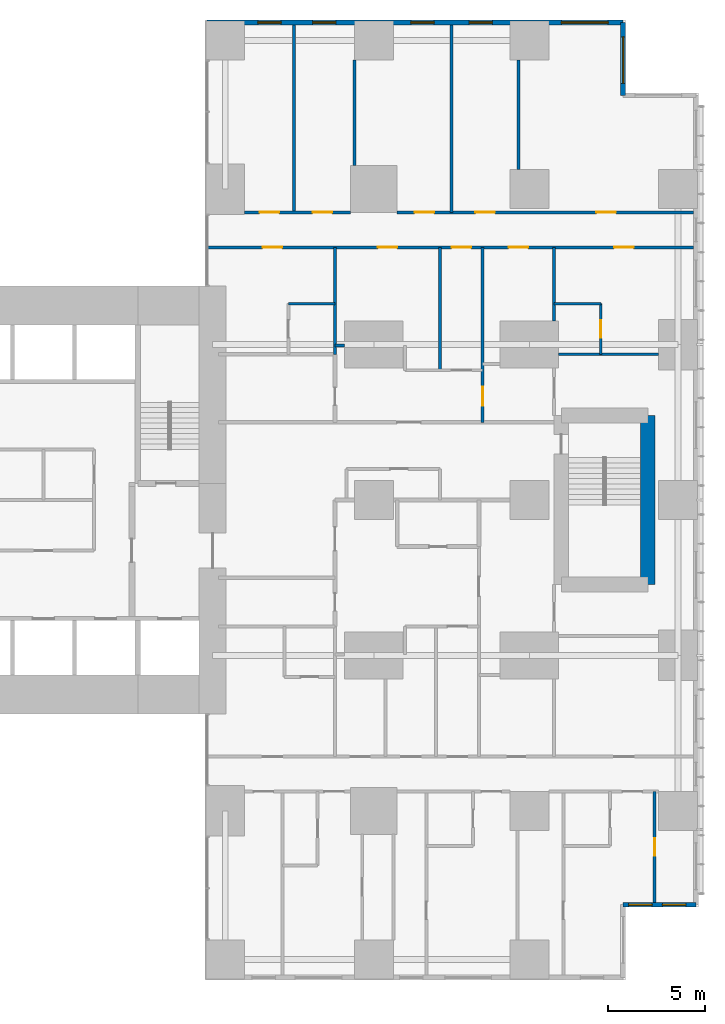
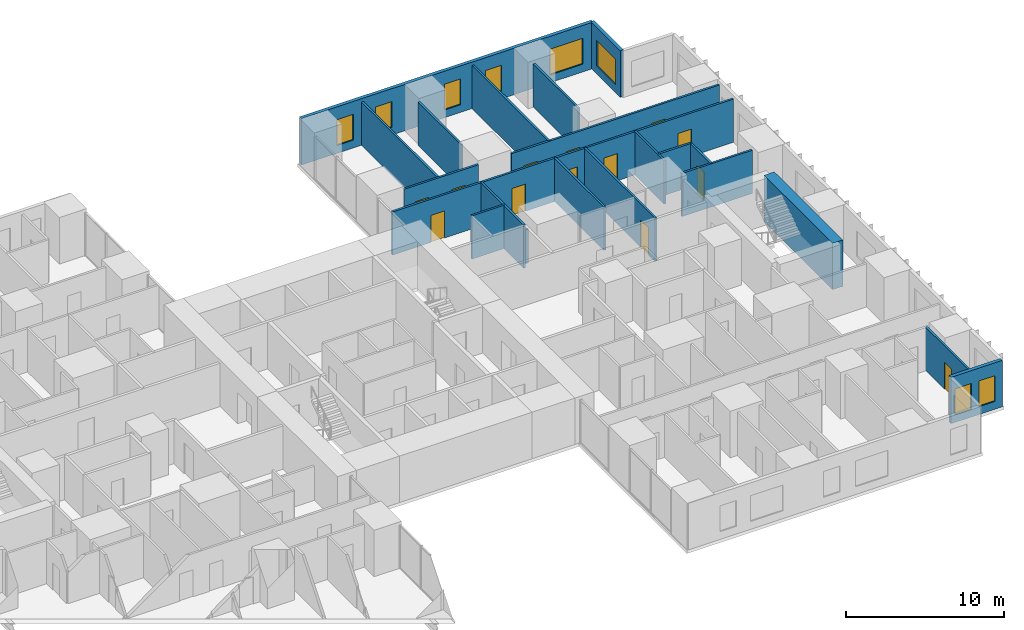
# One storey, part 18 of 20: 21 walls, 13 doors, 8 windows, 21 openings.
"""IFC4 building model written with IfcOpenShell, lengths in metres."""

from ifc_helpers import new_model, si_unit, direction, frame, frame_2d, origin, place, context, subcontext, project, spatial, rectangle, extrude, material, layer, layer_set, type_object, element, fill, save


model = new_model("IFC4")

# Units and contexts
model_context = context("Model", 3, precision=1e-05, world=origin(), true_north=direction((0.0, 1.0)))
body_context = subcontext(model_context, "Body", "Model", "MODEL_VIEW")
ifc_project = project(units=[si_unit("LENGTHUNIT", "METRE"), si_unit("AREAUNIT", "SQUARE_METRE"), si_unit("VOLUMEUNIT", "CUBIC_METRE"), si_unit("PLANEANGLEUNIT", "RADIAN"), si_unit("MASSUNIT", "GRAM", prefix="KILO")], contexts=[model_context])

# Site, building, storey
site_placement = place(None, origin())
site = spatial("IfcSite", under=ifc_project, at=site_placement, CompositionType="ELEMENT")
building_placement = place(site_placement, origin())
building = spatial("IfcBuilding", under=site, at=building_placement, Name="Cleftline Residences", CompositionType="ELEMENT")
storey_placement = place(building_placement, frame((0.0, 0.0, 47.60009765625)))
storey = spatial("IfcBuildingStorey", under=building, at=storey_placement, Name="L11", CompositionType="ELEMENT", Elevation=47.60009765625)

# Wall, openings, windows
ifc_material_1 = material(Name="Rendered reinforced concrete blockwork", Category="masonry")
ifc_layer_1 = layer(ifc_material_1, 0.25)
ifc_layer_set_1 = layer_set([ifc_layer_1], Name="EXTERNAL WALL 250")
wall_type_1 = type_object("IfcWallType", Name="EXTERNAL WALL 250", PredefinedType="SOLIDWALL", material=ifc_layer_set_1)
wall_1_placement = place(storey_placement, frame((62.824951171875, 3.175048828125, 0.0), z_axis=(0.0, 0.0, 1.0), x_axis=(1.0, 0.0, 0.0)))
wall_1 = element("IfcWall", 1, at=wall_1_placement, inside=storey, type_object=wall_type_1, Name="External wall", PredefinedType="SOLIDWALL", context=body_context, shape_type="SweptSolid", body=[
    extrude(rectangle(XDim=3.75, YDim=0.25, at=frame_2d((1.875, 0.0))), origin(), (0.0, 0.0, 1.0), 3.599853515625),
])
opening_1_placement = place(wall_1_placement, frame((0.28759765625, 0.0, 0.60009765625)))
opening_1 = element("IfcOpeningElement", 2, at=opening_1_placement, cuts=wall_1, Name="Opening W8", PredefinedType="OPENING", context=body_context, shape_type="SweptSolid", body=[
    extrude(rectangle(XDim=1.199951171875, YDim=2.0, at=frame_2d((0.60009765625, 1.0))), frame((0.0, 0.135009765625, 0.0), z_axis=(0.0, -1.0, 0.0), x_axis=(1.0, 0.0, 0.0)), (0.0, 0.0, 1.0), 0.27001953125),
])
opening_2_placement = place(wall_1_placement, frame((2.02490234375, 0.0, 0.60009765625)))
opening_2 = element("IfcOpeningElement", 3, at=opening_2_placement, cuts=wall_1, Name="Opening W8", PredefinedType="OPENING", context=body_context, shape_type="SweptSolid", body=[
    extrude(rectangle(XDim=1.199951171875, YDim=2.0, at=frame_2d((0.60009765625, 1.0))), frame((0.0, 0.135009765625, 0.0), z_axis=(0.0, -1.0, 0.0), x_axis=(1.0, 0.0, 0.0)), (0.0, 0.0, 1.0), 0.27001953125),
])
ifc_material_2 = material(Name="Aluminium frame, clear double glazing", Category="aluminium")
window_type_1 = type_object("IfcWindowType", Name="WINDOW 1200X2000", PartitioningType="DOUBLE_PANEL_VERTICAL", PredefinedType="WINDOW", material=ifc_material_2)
window_1_placement = place(opening_1_placement, origin())
window_1 = element("IfcWindow", 4, at=window_1_placement, inside=storey, type_object=window_type_1, Name="Window", OverallHeight=2.0, OverallWidth=1.199951171875, PartitioningType="SINGLE_PANEL", PredefinedType="WINDOW", context=body_context, shape_type="SweptSolid", body=[
    extrude(rectangle(XDim=1.199951171875, YDim=2.0, at=frame_2d((0.60009765625, 1.0))), frame((0.0, 0.030029296875, 0.0), z_axis=(0.0, -1.0, 0.0), x_axis=(1.0, 0.0, 0.0)), (0.0, 0.0, 1.0), 0.06005859375),
])
fill(opening_1, window_1)
window_2_placement = place(opening_2_placement, origin())
window_2 = element("IfcWindow", 5, at=window_2_placement, inside=storey, type_object=window_type_1, Name="Window", OverallHeight=2.0, OverallWidth=1.199951171875, PartitioningType="SINGLE_PANEL", PredefinedType="WINDOW", context=body_context, shape_type="SweptSolid", body=[
    extrude(rectangle(XDim=1.199951171875, YDim=2.0, at=frame_2d((0.60009765625, 1.0))), frame((0.0, 0.030029296875, 0.0), z_axis=(0.0, -1.0, 0.0), x_axis=(1.0, 0.0, 0.0)), (0.0, 0.0, 1.0), 0.06005859375),
])
fill(opening_2, window_2)

# Wall, opening, window
wall_2_placement = place(storey_placement, frame((62.824951171875, 44.824951171875, 0.0), z_axis=(0.0, 0.0, 1.0), x_axis=(0.0, 1.0, 0.0)))
wall_2 = element("IfcWall", 6, at=wall_2_placement, inside=storey, type_object=wall_type_1, Name="External wall", PredefinedType="SOLIDWALL", context=body_context, shape_type="SweptSolid", body=[
    extrude(rectangle(XDim=3.75, YDim=0.25, at=frame_2d((1.875, 0.0))), origin(), (0.0, 0.0, 1.0), 3.599853515625),
])
opening_3_placement = place(wall_2_placement, frame((0.612548828125, 0.0, 0.60009765625)))
opening_3 = element("IfcOpeningElement", 7, at=opening_3_placement, cuts=wall_2, Name="Opening W6", PredefinedType="OPENING", context=body_context, shape_type="SweptSolid", body=[
    extrude(rectangle(XDim=2.39990234375, YDim=2.0, at=frame_2d((1.199951171875, 1.0))), frame((0.0, 0.135009765625, 0.0), z_axis=(0.0, -1.0, 0.0), x_axis=(1.0, 0.0, 0.0)), (0.0, 0.0, 1.0), 0.27001953125),
])
ifc_material_3 = material(Name="Aluminium frame, clear double glazing", Category="aluminium")
window_type_2 = type_object("IfcWindowType", Name="WINDOW 2400X2000", PartitioningType="DOUBLE_PANEL_VERTICAL", PredefinedType="WINDOW", material=ifc_material_3)
window_3_placement = place(opening_3_placement, origin())
window_3 = element("IfcWindow", 8, at=window_3_placement, inside=storey, type_object=window_type_2, Name="Window", OverallHeight=2.0, OverallWidth=2.39990234375, PartitioningType="SINGLE_PANEL", PredefinedType="WINDOW", context=body_context, shape_type="SweptSolid", body=[
    extrude(rectangle(XDim=2.39990234375, YDim=2.0, at=frame_2d((1.199951171875, 1.0))), frame((0.0, 0.030029296875, 0.0), z_axis=(0.0, -1.0, 0.0), x_axis=(1.0, 0.0, 0.0)), (0.0, 0.0, 1.0), 0.06005859375),
])
fill(opening_3, window_3)

# Wall, openings, windows
wall_3_placement = place(storey_placement, frame((62.824951171875, 48.574951171875, 0.0), z_axis=(0.0, 0.0, 1.0), x_axis=(-1.0, 0.0, 0.0)))
wall_3 = element("IfcWall", 9, at=wall_3_placement, inside=storey, type_object=wall_type_1, Name="External wall", PredefinedType="SOLIDWALL", context=body_context, shape_type="SweptSolid", body=[
    extrude(rectangle(XDim=21.39990234375, YDim=0.25, at=frame_2d((10.699951171875, 0.0))), origin(), (0.0, 0.0, 1.0), 3.599853515625),
])
opening_4_placement = place(wall_3_placement, frame((0.77490234375, 0.0, 0.60009765625)))
opening_4 = element("IfcOpeningElement", 10, at=opening_4_placement, cuts=wall_3, Name="Opening W6", PredefinedType="OPENING", context=body_context, shape_type="SweptSolid", body=[
    extrude(rectangle(XDim=2.39990234375, YDim=2.0, at=frame_2d((1.199951171875, 1.0))), frame((0.0, 0.135009765625, 0.0), z_axis=(0.0, -1.0, 0.0), x_axis=(1.0, 0.0, 0.0)), (0.0, 0.0, 1.0), 0.27001953125),
])
opening_5_placement = place(wall_3_placement, frame((6.72509765625, 0.0, 0.60009765625)))
opening_5 = element("IfcOpeningElement", 11, at=opening_5_placement, cuts=wall_3, Name="Opening W8", PredefinedType="OPENING", context=body_context, shape_type="SweptSolid", body=[
    extrude(rectangle(XDim=1.199951171875, YDim=2.0, at=frame_2d((0.60009765625, 1.0))), frame((0.0, 0.135009765625, 0.0), z_axis=(0.0, -1.0, 0.0), x_axis=(1.0, 0.0, 0.0)), (0.0, 0.0, 1.0), 0.27001953125),
])
opening_6_placement = place(wall_3_placement, frame((9.72509765625, 0.0, 0.60009765625)))
opening_6 = element("IfcOpeningElement", 12, at=opening_6_placement, cuts=wall_3, Name="Opening W8", PredefinedType="OPENING", context=body_context, shape_type="SweptSolid", body=[
    extrude(rectangle(XDim=1.199951171875, YDim=2.0, at=frame_2d((0.60009765625, 1.0))), frame((0.0, 0.135009765625, 0.0), z_axis=(0.0, -1.0, 0.0), x_axis=(1.0, 0.0, 0.0)), (0.0, 0.0, 1.0), 0.27001953125),
])
opening_7_placement = place(wall_3_placement, frame((14.77490234375, 0.0, 0.60009765625)))
opening_7 = element("IfcOpeningElement", 13, at=opening_7_placement, cuts=wall_3, Name="Opening W8", PredefinedType="OPENING", context=body_context, shape_type="SweptSolid", body=[
    extrude(rectangle(XDim=1.199951171875, YDim=2.0, at=frame_2d((0.60009765625, 1.0))), frame((0.0, 0.135009765625, 0.0), z_axis=(0.0, -1.0, 0.0), x_axis=(1.0, 0.0, 0.0)), (0.0, 0.0, 1.0), 0.27001953125),
])
opening_8_placement = place(wall_3_placement, frame((17.60009765625, 0.0, 0.60009765625)))
opening_8 = element("IfcOpeningElement", 14, at=opening_8_placement, cuts=wall_3, Name="Opening W8", PredefinedType="OPENING", context=body_context, shape_type="SweptSolid", body=[
    extrude(rectangle(XDim=1.199951171875, YDim=2.0, at=frame_2d((0.60009765625, 1.0))), frame((0.0, 0.135009765625, 0.0), z_axis=(0.0, -1.0, 0.0), x_axis=(1.0, 0.0, 0.0)), (0.0, 0.0, 1.0), 0.27001953125),
])
window_4_placement = place(opening_5_placement, origin())
window_4 = element("IfcWindow", 15, at=window_4_placement, inside=storey, type_object=window_type_1, Name="Window", OverallHeight=2.0, OverallWidth=1.199951171875, PartitioningType="SINGLE_PANEL", PredefinedType="WINDOW", context=body_context, shape_type="SweptSolid", body=[
    extrude(rectangle(XDim=1.199951171875, YDim=2.0, at=frame_2d((0.60009765625, 1.0))), frame((0.0, 0.030029296875, 0.0), z_axis=(0.0, -1.0, 0.0), x_axis=(1.0, 0.0, 0.0)), (0.0, 0.0, 1.0), 0.06005859375),
])
fill(opening_5, window_4)
window_5_placement = place(opening_6_placement, origin())
window_5 = element("IfcWindow", 16, at=window_5_placement, inside=storey, type_object=window_type_1, Name="Window", OverallHeight=2.0, OverallWidth=1.199951171875, PartitioningType="SINGLE_PANEL", PredefinedType="WINDOW", context=body_context, shape_type="SweptSolid", body=[
    extrude(rectangle(XDim=1.199951171875, YDim=2.0, at=frame_2d((0.60009765625, 1.0))), frame((0.0, 0.030029296875, 0.0), z_axis=(0.0, -1.0, 0.0), x_axis=(1.0, 0.0, 0.0)), (0.0, 0.0, 1.0), 0.06005859375),
])
fill(opening_6, window_5)
window_6_placement = place(opening_7_placement, origin())
window_6 = element("IfcWindow", 17, at=window_6_placement, inside=storey, type_object=window_type_1, Name="Window", OverallHeight=2.0, OverallWidth=1.199951171875, PartitioningType="SINGLE_PANEL", PredefinedType="WINDOW", context=body_context, shape_type="SweptSolid", body=[
    extrude(rectangle(XDim=1.199951171875, YDim=2.0, at=frame_2d((0.60009765625, 1.0))), frame((0.0, 0.030029296875, 0.0), z_axis=(0.0, -1.0, 0.0), x_axis=(1.0, 0.0, 0.0)), (0.0, 0.0, 1.0), 0.06005859375),
])
fill(opening_7, window_6)
window_7_placement = place(opening_8_placement, origin())
window_7 = element("IfcWindow", 18, at=window_7_placement, inside=storey, type_object=window_type_1, Name="Window", OverallHeight=2.0, OverallWidth=1.199951171875, PartitioningType="SINGLE_PANEL", PredefinedType="WINDOW", context=body_context, shape_type="SweptSolid", body=[
    extrude(rectangle(XDim=1.199951171875, YDim=2.0, at=frame_2d((0.60009765625, 1.0))), frame((0.0, 0.030029296875, 0.0), z_axis=(0.0, -1.0, 0.0), x_axis=(1.0, 0.0, 0.0)), (0.0, 0.0, 1.0), 0.06005859375),
])
fill(opening_8, window_7)
window_8_placement = place(opening_4_placement, origin())
window_8 = element("IfcWindow", 19, at=window_8_placement, inside=storey, type_object=window_type_2, Name="Window", OverallHeight=2.0, OverallWidth=2.39990234375, PartitioningType="SINGLE_PANEL", PredefinedType="WINDOW", context=body_context, shape_type="SweptSolid", body=[
    extrude(rectangle(XDim=2.39990234375, YDim=2.0, at=frame_2d((1.199951171875, 1.0))), frame((0.0, 0.030029296875, 0.0), z_axis=(0.0, -1.0, 0.0), x_axis=(1.0, 0.0, 0.0)), (0.0, 0.0, 1.0), 0.06005859375),
])
fill(opening_4, window_8)

# Walls
ifc_material_4 = material(Name="Gypsum board on steel studs", Category="steel")
ifc_layer_2 = layer(ifc_material_4, 0.14990234375)
ifc_layer_set_2 = layer_set([ifc_layer_2], Name="PARTITION 150")
wall_type_2 = type_object("IfcWallType", Name="PARTITION 150", PredefinedType="PARTITIONING", material=ifc_layer_set_2)
wall_4_placement = place(storey_placement, frame((59.5, 31.5, 0.0), z_axis=(0.0, 0.0, 1.0), x_axis=(1.0, 0.0, 0.0)))
element("IfcWall", 20, at=wall_4_placement, inside=storey, type_object=wall_type_2, Name="Partition", PredefinedType="PARTITIONING", context=body_context, shape_type="SweptSolid", body=[
    extrude(rectangle(XDim=5.14990234375, YDim=0.14990234375, at=frame_2d((2.574951171875, 0.0))), origin(), (0.0, 0.0, 1.0), 3.349853515625),
])
wall_5_placement = place(storey_placement, frame((48.0, 31.949951171875, 0.0), z_axis=(0.0, 0.0, 1.0), x_axis=(1.0, 0.0, 0.0)))
element("IfcWall", 21, at=wall_5_placement, inside=storey, type_object=wall_type_2, Name="Partition", PredefinedType="PARTITIONING", context=body_context, shape_type="SweptSolid", body=[
    extrude(rectangle(XDim=0.5, YDim=0.14990234375, at=frame_2d((0.25, 0.0))), origin(), (0.0, 0.0, 1.0), 2.6337890625),
])
wall_6_placement = place(storey_placement, frame((45.60009765625, 34.10009765625, 0.0), z_axis=(0.0, 0.0, 1.0), x_axis=(1.0, 0.0, 0.0)))
element("IfcWall", 22, at=wall_6_placement, inside=storey, type_object=wall_type_2, Name="Partition", PredefinedType="PARTITIONING", context=body_context, shape_type="SweptSolid", body=[
    extrude(rectangle(XDim=2.39990234375, YDim=0.14990234375, at=frame_2d((1.199951171875, 0.0))), origin(), (0.0, 0.0, 1.0), 3.349853515625),
])
wall_7_placement = place(storey_placement, frame((59.27490234375, 34.10009765625, 0.0), z_axis=(0.0, 0.0, 1.0), x_axis=(1.0, 0.0, 0.0)))
element("IfcWall", 23, at=wall_7_placement, inside=storey, type_object=wall_type_2, Name="Partition", PredefinedType="PARTITIONING", context=body_context, shape_type="SweptSolid", body=[
    extrude(rectangle(XDim=2.400146484375, YDim=0.14990234375, at=frame_2d((1.2001953125, 0.0))), origin(), (0.0, 0.0, 1.0), 3.349853515625),
])

# Wall, openings, doors
wall_8_placement = place(storey_placement, frame((41.43896484375, 37.0, 0.0), z_axis=(0.0, 0.0, 1.0), x_axis=(1.0, 0.0, 0.0)))
wall_8 = element("IfcWall", 24, at=wall_8_placement, inside=storey, type_object=wall_type_2, Name="Partition", PredefinedType="PARTITIONING", context=body_context, shape_type="SweptSolid", body=[
    extrude(rectangle(XDim=25.010986328125, YDim=0.14990234375, at=frame_2d((12.50537109375, 0.0))), origin(), (0.0, 0.0, 1.0), 3.349853515625),
])
opening_9_placement = place(wall_8_placement, frame((12.56103515625, 0.0, 0.0)))
opening_9 = element("IfcOpeningElement", 25, at=opening_9_placement, cuts=wall_8, Name="Opening D2", PredefinedType="OPENING", context=body_context, shape_type="SweptSolid", body=[
    extrude(rectangle(XDim=1.0, YDim=2.10009765625, at=frame_2d((0.5, 1.050048828125))), frame((0.0, 0.0849609375, 0.0), z_axis=(0.0, -1.0, 0.0), x_axis=(1.0, 0.0, 0.0)), (0.0, 0.0, 1.0), 0.169921875),
])
opening_10_placement = place(wall_8_placement, frame((20.923583984375, 0.0, 0.0)))
opening_10 = element("IfcOpeningElement", 26, at=opening_10_placement, cuts=wall_8, Name="Opening D2", PredefinedType="OPENING", context=body_context, shape_type="SweptSolid", body=[
    extrude(rectangle(XDim=1.0, YDim=2.10009765625, at=frame_2d((0.5, 1.050048828125))), frame((0.0, 0.0849609375, 0.0), z_axis=(0.0, -1.0, 0.0), x_axis=(1.0, 0.0, 0.0)), (0.0, 0.0, 1.0), 0.169921875),
])
opening_11_placement = place(wall_8_placement, frame((15.49853515625, 0.0, 0.0)))
opening_11 = element("IfcOpeningElement", 27, at=opening_11_placement, cuts=wall_8, Name="Opening D2", PredefinedType="OPENING", context=body_context, shape_type="SweptSolid", body=[
    extrude(rectangle(XDim=1.0, YDim=2.10009765625, at=frame_2d((0.5, 1.050048828125))), frame((0.0, 0.0849609375, 0.0), z_axis=(0.0, -1.0, 0.0), x_axis=(1.0, 0.0, 0.0)), (0.0, 0.0, 1.0), 0.169921875),
])
opening_12_placement = place(wall_8_placement, frame((8.760986328125, 0.0, 0.0)))
opening_12 = element("IfcOpeningElement", 28, at=opening_12_placement, cuts=wall_8, Name="Opening D2", PredefinedType="OPENING", context=body_context, shape_type="SweptSolid", body=[
    extrude(rectangle(XDim=1.0, YDim=2.10009765625, at=frame_2d((0.5, 1.050048828125))), frame((0.0, 0.0849609375, 0.0), z_axis=(0.0, -1.0, 0.0), x_axis=(1.0, 0.0, 0.0)), (0.0, 0.0, 1.0), 0.169921875),
])
opening_13_placement = place(wall_8_placement, frame((2.8359375, 0.0, 0.0)))
opening_13 = element("IfcOpeningElement", 29, at=opening_13_placement, cuts=wall_8, Name="Opening D2", PredefinedType="OPENING", context=body_context, shape_type="SweptSolid", body=[
    extrude(rectangle(XDim=1.0, YDim=2.10009765625, at=frame_2d((0.5, 1.050048828125))), frame((0.0, 0.0849609375, 0.0), z_axis=(0.0, -1.0, 0.0), x_axis=(1.0, 0.0, 0.0)), (0.0, 0.0, 1.0), 0.169921875),
])
ifc_material_5 = material(Name="Timber veneer on solid core", Category="wood")
door_type_1 = type_object("IfcDoorType", Name="DOOR 1000X2100", OperationType="SINGLE_SWING_LEFT", PredefinedType="DOOR", material=ifc_material_5)
door_1_placement = place(opening_9_placement, origin())
door_1 = element("IfcDoor", 30, at=door_1_placement, inside=storey, type_object=door_type_1, Name="Door to residence hall", OperationType="SINGLE_SWING_LEFT", OverallHeight=2.10009765625, OverallWidth=1.0, PredefinedType="DOOR", context=body_context, shape_type="SweptSolid", body=[
    extrude(rectangle(XDim=1.0, YDim=2.10009765625, at=frame_2d((0.5, 1.050048828125))), frame((0.0, 0.02490234375, 0.0), z_axis=(0.0, -1.0, 0.0), x_axis=(1.0, 0.0, 0.0)), (0.0, 0.0, 1.0), 0.050048828125),
])
fill(opening_9, door_1)
door_2_placement = place(opening_10_placement, origin())
door_2 = element("IfcDoor", 31, at=door_2_placement, inside=storey, type_object=door_type_1, Name="Door to master bedroom", OperationType="SINGLE_SWING_LEFT", OverallHeight=2.10009765625, OverallWidth=1.0, PredefinedType="DOOR", context=body_context, shape_type="SweptSolid", body=[
    extrude(rectangle(XDim=1.0, YDim=2.10009765625, at=frame_2d((0.5, 1.050048828125))), frame((0.0, 0.02490234375, 0.0), z_axis=(0.0, -1.0, 0.0), x_axis=(1.0, 0.0, 0.0)), (0.0, 0.0, 1.0), 0.050048828125),
])
fill(opening_10, door_2)
door_3_placement = place(opening_11_placement, origin())
door_3 = element("IfcDoor", 32, at=door_3_placement, inside=storey, type_object=door_type_1, Name="Door to wet kitchen", OperationType="SINGLE_SWING_LEFT", OverallHeight=2.10009765625, OverallWidth=1.0, PredefinedType="DOOR", context=body_context, shape_type="SweptSolid", body=[
    extrude(rectangle(XDim=1.0, YDim=2.10009765625, at=frame_2d((0.5, 1.050048828125))), frame((0.0, 0.02490234375, 0.0), z_axis=(0.0, -1.0, 0.0), x_axis=(1.0, 0.0, 0.0)), (0.0, 0.0, 1.0), 0.050048828125),
])
fill(opening_11, door_3)
door_4_placement = place(opening_12_placement, origin())
door_4 = element("IfcDoor", 33, at=door_4_placement, inside=storey, type_object=door_type_1, Name="Door to family room", OperationType="SINGLE_SWING_RIGHT", OverallHeight=2.10009765625, OverallWidth=1.0, PredefinedType="DOOR", context=body_context, shape_type="SweptSolid", body=[
    extrude(rectangle(XDim=1.0, YDim=2.10009765625, at=frame_2d((0.5, 1.050048828125))), frame((0.0, 0.02490234375, 0.0), z_axis=(0.0, -1.0, 0.0), x_axis=(1.0, 0.0, 0.0)), (0.0, 0.0, 1.0), 0.050048828125),
])
fill(opening_12, door_4)
door_5_placement = place(opening_13_placement, origin())
door_5 = element("IfcDoor", 34, at=door_5_placement, inside=storey, type_object=door_type_1, Name="Door to bedroom 2", OperationType="SINGLE_SWING_RIGHT", OverallHeight=2.10009765625, OverallWidth=1.0, PredefinedType="DOOR", context=body_context, shape_type="SweptSolid", body=[
    extrude(rectangle(XDim=1.0, YDim=2.10009765625, at=frame_2d((0.5, 1.050048828125))), frame((0.0, 0.02490234375, 0.0), z_axis=(0.0, -1.0, 0.0), x_axis=(1.0, 0.0, 0.0)), (0.0, 0.0, 1.0), 0.050048828125),
])
fill(opening_13, door_5)

wall_9_placement = place(storey_placement, frame((43.35009765625, 38.800048828125, 0.0), z_axis=(0.0, 0.0, 1.0), x_axis=(1.0, 0.0, 0.0)))
wall_9 = element("IfcWall", 35, at=wall_9_placement, inside=storey, type_object=wall_type_2, Name="Partition", PredefinedType="PARTITIONING", context=body_context, shape_type="SweptSolid", body=[
    extrude(rectangle(XDim=5.449951171875, YDim=0.14990234375, at=frame_2d((2.72509765625, 0.0))), origin(), (0.0, 0.0, 1.0), 3.349853515625),
])
opening_14_placement = place(wall_9_placement, frame((3.5, 0.0, 0.0)))
opening_14 = element("IfcOpeningElement", 36, at=opening_14_placement, cuts=wall_9, Name="Opening D2", PredefinedType="OPENING", context=body_context, shape_type="SweptSolid", body=[
    extrude(rectangle(XDim=1.0, YDim=2.10009765625, at=frame_2d((0.5, 1.050048828125))), frame((0.0, 0.0849609375, 0.0), z_axis=(0.0, -1.0, 0.0), x_axis=(1.0, 0.0, 0.0)), (0.0, 0.0, 1.0), 0.169921875),
])
opening_15_placement = place(wall_9_placement, frame((0.77490234375, 0.0, 0.0)))
opening_15 = element("IfcOpeningElement", 37, at=opening_15_placement, cuts=wall_9, Name="Opening D2", PredefinedType="OPENING", context=body_context, shape_type="SweptSolid", body=[
    extrude(rectangle(XDim=1.0, YDim=2.10009765625, at=frame_2d((0.5, 1.050048828125))), frame((0.0, 0.0849609375, 0.0), z_axis=(0.0, -1.0, 0.0), x_axis=(1.0, 0.0, 0.0)), (0.0, 0.0, 1.0), 0.169921875),
])
door_6_placement = place(opening_14_placement, origin())
door_6 = element("IfcDoor", 38, at=door_6_placement, inside=storey, type_object=door_type_1, Name="Door to family dining room", OperationType="SINGLE_SWING_LEFT", OverallHeight=2.10009765625, OverallWidth=1.0, PredefinedType="DOOR", context=body_context, shape_type="SweptSolid", body=[
    extrude(rectangle(XDim=1.0, YDim=2.10009765625, at=frame_2d((0.5, 1.050048828125))), frame((0.0, 0.02490234375, 0.0), z_axis=(0.0, -1.0, 0.0), x_axis=(1.0, 0.0, 0.0)), (0.0, 0.0, 1.0), 0.050048828125),
])
fill(opening_14, door_6)
door_7_placement = place(opening_15_placement, origin())
door_7 = element("IfcDoor", 39, at=door_7_placement, inside=storey, type_object=door_type_1, Name="Door to show kitchen", OperationType="SINGLE_SWING_RIGHT", OverallHeight=2.10009765625, OverallWidth=1.0, PredefinedType="DOOR", context=body_context, shape_type="SweptSolid", body=[
    extrude(rectangle(XDim=1.0, YDim=2.10009765625, at=frame_2d((0.5, 1.050048828125))), frame((0.0, 0.02490234375, 0.0), z_axis=(0.0, -1.0, 0.0), x_axis=(1.0, 0.0, 0.0)), (0.0, 0.0, 1.0), 0.050048828125),
])
fill(opening_15, door_7)

wall_10_placement = place(storey_placement, frame((51.199951171875, 38.800048828125, 0.0), z_axis=(0.0, 0.0, 1.0), x_axis=(1.0, 0.0, 0.0)))
wall_10 = element("IfcWall", 40, at=wall_10_placement, inside=storey, type_object=wall_type_2, Name="Partition", PredefinedType="PARTITIONING", context=body_context, shape_type="SweptSolid", body=[
    extrude(rectangle(XDim=15.25, YDim=0.14990234375, at=frame_2d((7.625, 0.0))), origin(), (0.0, 0.0, 1.0), 3.349853515625),
])
opening_16_placement = place(wall_10_placement, frame((10.25, 0.0, 0.0)))
opening_16 = element("IfcOpeningElement", 41, at=opening_16_placement, cuts=wall_10, Name="Opening D2", PredefinedType="OPENING", context=body_context, shape_type="SweptSolid", body=[
    extrude(rectangle(XDim=1.0, YDim=2.10009765625, at=frame_2d((0.5, 1.050048828125))), frame((0.0, 0.0849609375, 0.0), z_axis=(0.0, -1.0, 0.0), x_axis=(1.0, 0.0, 0.0)), (0.0, 0.0, 1.0), 0.169921875),
])
opening_17_placement = place(wall_10_placement, frame((4.02490234375, 0.0, 0.0)))
opening_17 = element("IfcOpeningElement", 42, at=opening_17_placement, cuts=wall_10, Name="Opening D2", PredefinedType="OPENING", context=body_context, shape_type="SweptSolid", body=[
    extrude(rectangle(XDim=1.0, YDim=2.10009765625, at=frame_2d((0.5, 1.050048828125))), frame((0.0, 0.0849609375, 0.0), z_axis=(0.0, -1.0, 0.0), x_axis=(1.0, 0.0, 0.0)), (0.0, 0.0, 1.0), 0.169921875),
])
opening_18_placement = place(wall_10_placement, frame((0.89990234375, 0.0, 0.0)))
opening_18 = element("IfcOpeningElement", 43, at=opening_18_placement, cuts=wall_10, Name="Opening D2", PredefinedType="OPENING", context=body_context, shape_type="SweptSolid", body=[
    extrude(rectangle(XDim=1.0, YDim=2.10009765625, at=frame_2d((0.5, 1.050048828125))), frame((0.0, 0.0849609375, 0.0), z_axis=(0.0, -1.0, 0.0), x_axis=(1.0, 0.0, 0.0)), (0.0, 0.0, 1.0), 0.169921875),
])
door_8_placement = place(opening_16_placement, origin())
door_8 = element("IfcDoor", 44, at=door_8_placement, inside=storey, type_object=door_type_1, Name="Door to sea-view lounge", OperationType="SINGLE_SWING_LEFT", OverallHeight=2.10009765625, OverallWidth=1.0, PredefinedType="DOOR", context=body_context, shape_type="SweptSolid", body=[
    extrude(rectangle(XDim=1.0, YDim=2.10009765625, at=frame_2d((0.5, 1.050048828125))), frame((0.0, 0.02490234375, 0.0), z_axis=(0.0, -1.0, 0.0), x_axis=(1.0, 0.0, 0.0)), (0.0, 0.0, 1.0), 0.050048828125),
])
fill(opening_16, door_8)
door_9_placement = place(opening_17_placement, origin())
door_9 = element("IfcDoor", 45, at=door_9_placement, inside=storey, type_object=door_type_1, Name="Door to library", OperationType="SINGLE_SWING_RIGHT", OverallHeight=2.10009765625, OverallWidth=1.0, PredefinedType="DOOR", context=body_context, shape_type="SweptSolid", body=[
    extrude(rectangle(XDim=1.0, YDim=2.10009765625, at=frame_2d((0.5, 1.050048828125))), frame((0.0, 0.02490234375, 0.0), z_axis=(0.0, -1.0, 0.0), x_axis=(1.0, 0.0, 0.0)), (0.0, 0.0, 1.0), 0.050048828125),
])
fill(opening_17, door_9)
door_10_placement = place(opening_18_placement, origin())
door_10 = element("IfcDoor", 46, at=door_10_placement, inside=storey, type_object=door_type_1, Name="Door to dining room", OperationType="SINGLE_SWING_RIGHT", OverallHeight=2.10009765625, OverallWidth=1.0, PredefinedType="DOOR", context=body_context, shape_type="SweptSolid", body=[
    extrude(rectangle(XDim=1.0, YDim=2.10009765625, at=frame_2d((0.5, 1.050048828125))), frame((0.0, 0.02490234375, 0.0), z_axis=(0.0, -1.0, 0.0), x_axis=(1.0, 0.0, 0.0)), (0.0, 0.0, 1.0), 0.050048828125),
])
fill(opening_18, door_10)

# Walls
wall_11_placement = place(storey_placement, frame((45.89990234375, 38.800048828125, 0.0), z_axis=(0.0, 0.0, 1.0), x_axis=(0.0, 1.0, 0.0)))
element("IfcWall", 47, at=wall_11_placement, inside=storey, type_object=wall_type_2, Name="Partition", PredefinedType="PARTITIONING", context=body_context, shape_type="SweptSolid", body=[
    extrude(rectangle(XDim=9.64990234375, YDim=0.14990234375, at=frame_2d((4.824951171875, 0.0))), origin(), (0.0, 0.0, 1.0), 3.349853515625),
])
wall_12_placement = place(storey_placement, frame((48.0, 31.5, 0.0), z_axis=(0.0, 0.0, 1.0), x_axis=(0.0, 1.0, 0.0)))
element("IfcWall", 48, at=wall_12_placement, inside=storey, type_object=wall_type_2, Name="Partition", PredefinedType="PARTITIONING", context=body_context, shape_type="SweptSolid", body=[
    extrude(rectangle(XDim=5.5, YDim=0.14990234375, at=frame_2d((2.75, 0.0))), origin(), (0.0, 0.0, 1.0), 3.349853515625),
])
wall_13_placement = place(storey_placement, frame((49.0, 41.199951171875, 0.0), z_axis=(0.0, 0.0, 1.0), x_axis=(0.0, 1.0, 0.0)))
element("IfcWall", 49, at=wall_13_placement, inside=storey, type_object=wall_type_2, Name="Partition", PredefinedType="PARTITIONING", context=body_context, shape_type="SweptSolid", body=[
    extrude(rectangle(XDim=5.449951171875, YDim=0.14990234375, at=frame_2d((2.72509765625, 0.0))), origin(), (0.0, 0.0, 1.0), 3.349853515625),
])
wall_14_placement = place(storey_placement, frame((53.39990234375, 30.675048828125, 0.0), z_axis=(0.0, 0.0, 1.0), x_axis=(0.0, 1.0, 0.0)))
element("IfcWall", 50, at=wall_14_placement, inside=storey, type_object=wall_type_2, Name="Partition", PredefinedType="PARTITIONING", context=body_context, shape_type="SweptSolid", body=[
    extrude(rectangle(XDim=6.324951171875, YDim=0.14990234375, at=frame_2d((3.16259765625, 0.0))), origin(), (0.0, 0.0, 1.0), 3.349853515625),
])
wall_15_placement = place(storey_placement, frame((54.0, 38.800048828125, 0.0), z_axis=(0.0, 0.0, 1.0), x_axis=(0.0, 1.0, 0.0)))
element("IfcWall", 51, at=wall_15_placement, inside=storey, type_object=wall_type_2, Name="Partition", PredefinedType="PARTITIONING", context=body_context, shape_type="SweptSolid", body=[
    extrude(rectangle(XDim=9.64990234375, YDim=0.14990234375, at=frame_2d((4.824951171875, 0.0))), origin(), (0.0, 0.0, 1.0), 3.349853515625),
])

# Wall, opening, door
wall_16_placement = place(storey_placement, frame((55.60009765625, 28.0, 0.0), z_axis=(0.0, 0.0, 1.0), x_axis=(0.0, 1.0, 0.0)))
wall_16 = element("IfcWall", 52, at=wall_16_placement, inside=storey, type_object=wall_type_2, Name="Partition", PredefinedType="PARTITIONING", context=body_context, shape_type="SweptSolid", body=[
    extrude(rectangle(XDim=9.0, YDim=0.14990234375, at=frame_2d((4.5, 0.0))), origin(), (0.0, 0.0, 1.0), 3.349853515625),
])
opening_19_placement = place(wall_16_placement, frame((0.83740234375, 0.0, 0.0)))
opening_19 = element("IfcOpeningElement", 53, at=opening_19_placement, cuts=wall_16, Name="Opening D2F30", PredefinedType="OPENING", context=body_context, shape_type="SweptSolid", body=[
    extrude(rectangle(XDim=1.0, YDim=2.10009765625, at=frame_2d((0.5, 1.050048828125))), frame((0.0, 0.0849609375, 0.0), z_axis=(0.0, -1.0, 0.0), x_axis=(1.0, 0.0, 0.0)), (0.0, 0.0, 1.0), 0.169921875),
])
ifc_material_6 = material(Name="Timber veneer on solid core", Category="wood")
door_type_2 = type_object("IfcDoorType", Name="DOOR 1000X2100 EI 30", OperationType="SINGLE_SWING_LEFT", PredefinedType="DOOR", material=ifc_material_6)
door_11_placement = place(opening_19_placement, origin())
door_11 = element("IfcDoor", 54, at=door_11_placement, inside=storey, type_object=door_type_2, Name="Door to residence lobby", OperationType="SINGLE_SWING_RIGHT", OverallHeight=2.10009765625, OverallWidth=1.0, PredefinedType="DOOR", context=body_context, shape_type="SweptSolid", body=[
    extrude(rectangle(XDim=1.0, YDim=2.10009765625, at=frame_2d((0.5, 1.050048828125))), frame((0.0, 0.02490234375, 0.0), z_axis=(0.0, -1.0, 0.0), x_axis=(1.0, 0.0, 0.0)), (0.0, 0.0, 1.0), 0.050048828125),
])
fill(opening_19, door_11)

# Walls
wall_17_placement = place(storey_placement, frame((57.449951171875, 41.0, 0.0), z_axis=(0.0, 0.0, 1.0), x_axis=(0.0, 1.0, 0.0)))
element("IfcWall", 55, at=wall_17_placement, inside=storey, type_object=wall_type_2, Name="Partition", PredefinedType="PARTITIONING", context=body_context, shape_type="SweptSolid", body=[
    extrude(rectangle(XDim=5.64990234375, YDim=0.14990234375, at=frame_2d((2.824951171875, 0.0))), origin(), (0.0, 0.0, 1.0), 3.349853515625),
])
wall_18_placement = place(storey_placement, frame((59.27490234375, 33.199951171875, 0.0), z_axis=(0.0, 0.0, 1.0), x_axis=(0.0, 1.0, 0.0)))
element("IfcWall", 56, at=wall_18_placement, inside=storey, type_object=wall_type_2, Name="Partition", PredefinedType="PARTITIONING", context=body_context, shape_type="SweptSolid", body=[
    extrude(rectangle(XDim=3.800048828125, YDim=0.14990234375, at=frame_2d((1.89990234375, 0.0))), origin(), (0.0, 0.0, 1.0), 3.349853515625),
])

# Wall, opening, door
wall_19_placement = place(storey_placement, frame((61.675048828125, 31.5, 0.0), z_axis=(0.0, 0.0, 1.0), x_axis=(0.0, 1.0, 0.0)))
wall_19 = element("IfcWall", 57, at=wall_19_placement, inside=storey, type_object=wall_type_2, Name="Partition", PredefinedType="PARTITIONING", context=body_context, shape_type="SweptSolid", body=[
    extrude(rectangle(XDim=2.60009765625, YDim=0.14990234375, at=frame_2d((1.300048828125, 0.0))), origin(), (0.0, 0.0, 1.0), 3.349853515625),
])
opening_20_placement = place(wall_19_placement, frame((0.85009765625, 0.0, 0.0)))
opening_20 = element("IfcOpeningElement", 58, at=opening_20_placement, cuts=wall_19, Name="Opening D1", PredefinedType="OPENING", context=body_context, shape_type="SweptSolid", body=[
    extrude(rectangle(XDim=0.89990234375, YDim=2.10009765625, at=frame_2d((0.449951171875, 1.050048828125))), frame((0.0, 0.0849609375, 0.0), z_axis=(0.0, -1.0, 0.0), x_axis=(1.0, 0.0, 0.0)), (0.0, 0.0, 1.0), 0.169921875),
])
ifc_material_7 = material(Name="Timber veneer on solid core", Category="wood")
door_type_3 = type_object("IfcDoorType", Name="DOOR 900X2100", OperationType="SINGLE_SWING_LEFT", PredefinedType="DOOR", material=ifc_material_7)
door_12_placement = place(opening_20_placement, origin())
door_12 = element("IfcDoor", 59, at=door_12_placement, inside=storey, type_object=door_type_3, Name="Door to master bathroom", OperationType="SINGLE_SWING_LEFT", OverallHeight=2.10009765625, OverallWidth=0.89990234375, PredefinedType="DOOR", context=body_context, shape_type="SweptSolid", body=[
    extrude(rectangle(XDim=0.89990234375, YDim=2.10009765625, at=frame_2d((0.449951171875, 1.050048828125))), frame((0.0, 0.02490234375, 0.0), z_axis=(0.0, -1.0, 0.0), x_axis=(1.0, 0.0, 0.0)), (0.0, 0.0, 1.0), 0.050048828125),
])
fill(opening_20, door_12)

wall_20_placement = place(storey_placement, frame((64.449951171875, 3.300048828125, 0.0), z_axis=(0.0, 0.0, 1.0), x_axis=(0.0, 1.0, 0.0)))
wall_20 = element("IfcWall", 60, at=wall_20_placement, inside=storey, type_object=wall_type_2, Name="Partition", PredefinedType="PARTITIONING", context=body_context, shape_type="SweptSolid", body=[
    extrude(rectangle(XDim=5.699951171875, YDim=0.14990234375, at=frame_2d((2.85009765625, 0.0))), origin(), (0.0, 0.0, 1.0), 3.349853515625),
])
opening_21_placement = place(wall_20_placement, frame((2.39990234375, 0.0, 0.0)))
opening_21 = element("IfcOpeningElement", 61, at=opening_21_placement, cuts=wall_20, Name="Opening D1", PredefinedType="OPENING", context=body_context, shape_type="SweptSolid", body=[
    extrude(rectangle(XDim=0.89990234375, YDim=2.10009765625, at=frame_2d((0.449951171875, 1.050048828125))), frame((0.0, 0.0849609375, 0.0), z_axis=(0.0, -1.0, 0.0), x_axis=(1.0, 0.0, 0.0)), (0.0, 0.0, 1.0), 0.169921875),
])
door_13_placement = place(opening_21_placement, origin())
door_13 = element("IfcDoor", 62, at=door_13_placement, inside=storey, type_object=door_type_3, Name="Door to walk-in wardrobe", OperationType="SINGLE_SWING_LEFT", OverallHeight=2.10009765625, OverallWidth=0.89990234375, PredefinedType="DOOR", context=body_context, shape_type="SweptSolid", body=[
    extrude(rectangle(XDim=0.89990234375, YDim=2.10009765625, at=frame_2d((0.449951171875, 1.050048828125))), frame((0.0, 0.02490234375, 0.0), z_axis=(0.0, -1.0, 0.0), x_axis=(1.0, 0.0, 0.0)), (0.0, 0.0, 1.0), 0.050048828125),
])
fill(opening_21, door_13)

# Wall
ifc_material_8 = material(Name="Concrete B70", Category="concrete")
ifc_layer_3 = layer(ifc_material_8, 0.75)
ifc_layer_set_3 = layer_set([ifc_layer_3], Name="SHEAR WALL 750")
wall_type_3 = type_object("IfcWallType", Name="SHEAR WALL 750", PredefinedType="SHEAR", material=ifc_layer_set_3)
wall_21_placement = place(storey_placement, frame((64.10009765625, 19.64990234375, 0.0), z_axis=(0.0, 0.0, 1.0), x_axis=(0.0, 1.0, 0.0)))
element("IfcWall", 63, at=wall_21_placement, inside=storey, type_object=wall_type_3, Name="Wing shear wall", PredefinedType="SHEAR", context=body_context, shape_type="SweptSolid", body=[
    extrude(rectangle(XDim=8.7001953125, YDim=0.75, at=frame_2d((4.35009765625, 0.0))), origin(), (0.0, 0.0, 1.0), 3.599853515625),
])

save(model, "model.ifc")
